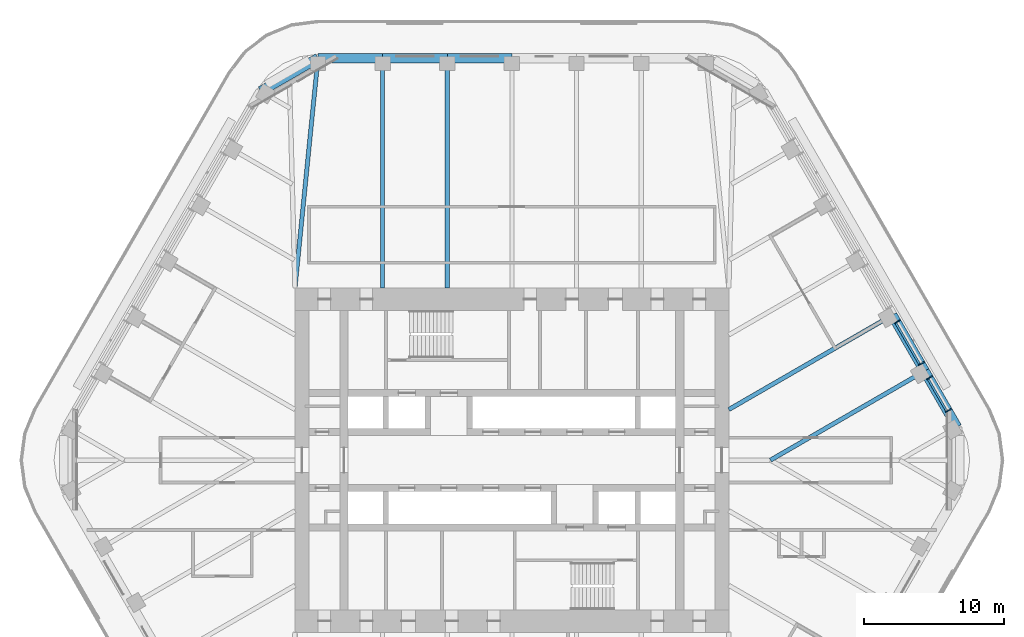
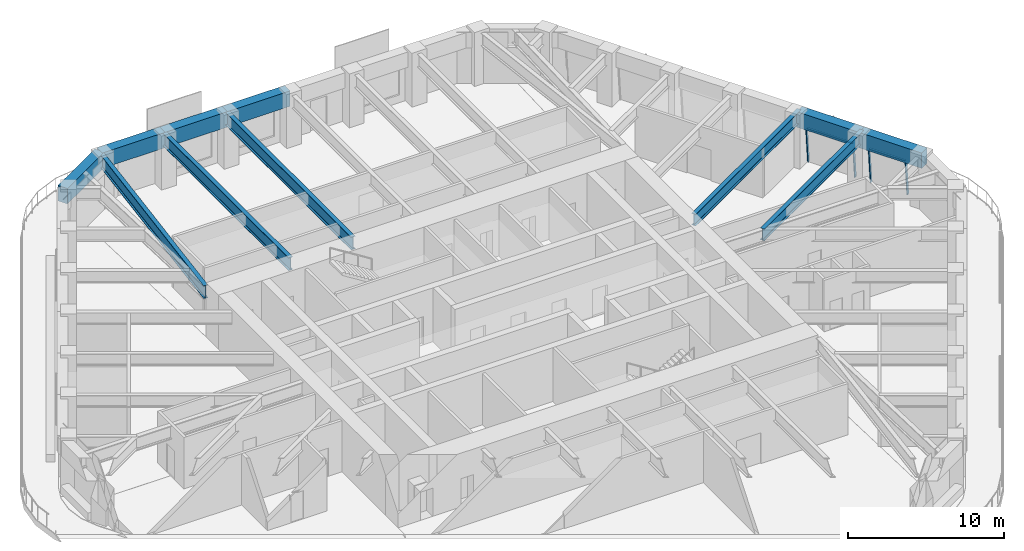
# One storey, part 9 of 20: 11 beams, 6 members, 2 elements without a shape of their own.
"""IFC4 building model written with IfcOpenShell, lengths in metres."""

from ifc_helpers import new_model, si_unit, direction, frame, origin, origin_2d, place, context, subcontext, project, spatial, rectangle, i_section, extrude, material, material_profile, profile_set, type_object, element, aggregate, save


model = new_model("IFC4")

# Units and contexts
model_context = context("Model", 3, precision=1e-05, world=origin(), true_north=direction((0.0, 1.0)))
body_context = subcontext(model_context, "Body", "Model", "MODEL_VIEW")
ifc_project = project(units=[si_unit("LENGTHUNIT", "METRE"), si_unit("AREAUNIT", "SQUARE_METRE"), si_unit("VOLUMEUNIT", "CUBIC_METRE"), si_unit("PLANEANGLEUNIT", "RADIAN"), si_unit("MASSUNIT", "GRAM", prefix="KILO")], contexts=[model_context])

# Site, building, storey
site_placement = place(None, origin())
site = spatial("IfcSite", under=ifc_project, at=site_placement, CompositionType="ELEMENT")
building_placement = place(site_placement, origin())
building = spatial("IfcBuilding", under=site, at=building_placement, Name="Tarfa Lantern Tower", CompositionType="ELEMENT")
storey_placement = place(building_placement, frame((0.0, 0.0, 286.89990234375)))
storey = spatial("IfcBuildingStorey", under=building, at=storey_placement, Name="L65", CompositionType="ELEMENT", Elevation=286.89990234375)

# Curtain wall, members
ifc_material_1 = material(Name="Aluminium framed curtain wall", Category="aluminium")
curtain_wall_type = type_object("IfcCurtainWallType", Name="CW3 CANTED GLAZING HIGH ZONE 2800", PredefinedType="USERDEFINED", material=ifc_material_1)
curtain_wall_1_placement = place(storey_placement, origin())
curtain_wall_1 = element("IfcCurtainWall", 1, at=curtain_wall_1_placement, inside=storey, type_object=curtain_wall_type, Name="CW3 NE L65", ObjectType="CURTAIN WALL", PredefinedType="USERDEFINED")
ifc_material_2 = material(Name="Aluminium mullion", Category="aluminium")
ifc_material_profile_1 = material_profile(ifc_material_2, rectangle(XDim=0.06494140625, YDim=0.199951171875, at=origin_2d()), Name="AL MULLION 65x200")
ifc_profile_set_1 = profile_set([ifc_material_profile_1], Name="Aluminium mullion")
member_type_1 = type_object("IfcMemberType", Name="CWM1 MULLION 65x200", PredefinedType="MULLION", material=ifc_profile_set_1)
member_1_placement = place(storey_placement, frame((31.2900390625, 3.60400390625, 0.0), z_axis=(-0.077032386753, -0.044465143199, 0.996036576854), x_axis=(0.499919672301, -0.866071776036, 0.0)))
member_1 = element("IfcMember", 2, at=member_1_placement, type_object=member_type_1, Name="CW3 mullion 1", PredefinedType="MULLION", context=body_context, shape_type="SweptSolid", body=[
    extrude(rectangle(XDim=0.06494140625, YDim=0.199951171875, at=origin_2d()), origin(), (0.0, 0.0, 1.0), 2.811279296875),
])
member_2_placement = place(storey_placement, frame((29.938232421875, 5.945556640625, 0.0), z_axis=(-0.077032386753, -0.044465143199, 0.996036576854), x_axis=(0.499919672301, -0.866071776036, 0.0)))
member_2 = element("IfcMember", 3, at=member_2_placement, type_object=member_type_1, Name="CW3 mullion 2", PredefinedType="MULLION", context=body_context, shape_type="SweptSolid", body=[
    extrude(rectangle(XDim=0.06494140625, YDim=0.199951171875, at=origin_2d()), origin(), (0.0, 0.0, 1.0), 2.811279296875),
])

curtain_wall_2_placement = place(storey_placement, origin())
curtain_wall_2 = element("IfcCurtainWall", 4, at=curtain_wall_2_placement, inside=storey, type_object=curtain_wall_type, Name="CW3 NE L65", ObjectType="CURTAIN WALL", PredefinedType="USERDEFINED")
member_3_placement = place(storey_placement, frame((29.355712890625, 6.954345703125, 0.0), z_axis=(-0.077032386753, -0.044465143199, 0.996036576854), x_axis=(0.499919672301, -0.866071776036, 0.0)))
member_3 = element("IfcMember", 5, at=member_3_placement, type_object=member_type_1, Name="CW3 mullion 1", PredefinedType="MULLION", context=body_context, shape_type="SweptSolid", body=[
    extrude(rectangle(XDim=0.06494140625, YDim=0.199951171875, at=origin_2d()), origin(), (0.0, 0.0, 1.0), 2.811279296875),
])
member_4_placement = place(storey_placement, frame((27.62890625, 9.945556640625, 0.0), z_axis=(-0.077032386753, -0.044465143199, 0.996036576854), x_axis=(0.499919672301, -0.866071776036, 0.0)))
member_4 = element("IfcMember", 6, at=member_4_placement, type_object=member_type_1, Name="CW3 mullion 2", PredefinedType="MULLION", context=body_context, shape_type="SweptSolid", body=[
    extrude(rectangle(XDim=0.06494140625, YDim=0.199951171875, at=origin_2d()), origin(), (0.0, 0.0, 1.0), 2.811279296875),
])

# Member
ifc_material_3 = material(Name="Aluminium transom", Category="aluminium")
ifc_material_profile_2 = material_profile(ifc_material_3, rectangle(XDim=0.14990234375, YDim=0.06494140625, at=origin_2d()), Name="AL TRANSOM 150x65")
ifc_profile_set_2 = profile_set([ifc_material_profile_2], Name="Aluminium transom")
member_type_2 = type_object("IfcMemberType", Name="CWT1 TRANSOM 150x65", PredefinedType="USERDEFINED", material=ifc_profile_set_2)
member_5_placement = place(storey_placement, frame((31.059814453125, 3.508544921875, 2.767578125), z_axis=(-0.499960041298, 0.866048472723, 0.0), x_axis=(-0.866048472723, -0.499960041298, 0.0)))
member_5 = element("IfcMember", 7, at=member_5_placement, type_object=member_type_2, Name="CW3 transom 1.2", ObjectType="TRANSOM", PredefinedType="USERDEFINED", context=body_context, shape_type="SweptSolid", body=[
    extrude(rectangle(XDim=0.14990234375, YDim=0.06494140625, at=origin_2d()), origin(), (0.0, 0.0, 1.0), 2.638916015625),
])

aggregate(curtain_wall_1, [member_1, member_2, member_5])

member_6_placement = place(storey_placement, frame((29.12548828125, 6.859130859375, 2.767578125), z_axis=(-0.499982299553, 0.866035622901, 0.0), x_axis=(-0.866035622901, -0.499982299553, 0.0)))
member_6 = element("IfcMember", 8, at=member_6_placement, type_object=member_type_2, Name="CW3 transom 1.2", ObjectType="TRANSOM", PredefinedType="USERDEFINED", context=body_context, shape_type="SweptSolid", body=[
    extrude(rectangle(XDim=0.14990234375, YDim=0.06494140625, at=origin_2d()), origin(), (0.0, 0.0, 1.0), 3.388671875),
])

aggregate(curtain_wall_2, [member_3, member_4, member_6])

# Beams
ifc_material_4 = material(Name="Concrete C80/95", Category="concrete")
ifc_material_profile_3 = material_profile(ifc_material_4, rectangle(XDim=0.699951171875, YDim=1.199951171875, at=origin_2d()), Name="RC 700x1200")
ifc_profile_set_3 = profile_set([ifc_material_profile_3], Name="Concrete C80/95")
beam_type_1 = type_object("IfcBeamType", Name="EB3 RC 700x1200", PredefinedType="SPANDREL", material=ifc_profile_set_3)
beam_1_placement = place(storey_placement, frame((31.800537109375, 2.360107421875, 3.400146484375), z_axis=(-0.500027479704, 0.866009537788, 0.0), x_axis=(-0.866009537788, -0.500027479704, 0.0)))
element("IfcBeam", 9, at=beam_1_placement, inside=storey, type_object=beam_type_1, Name="Edge beam NE0", PredefinedType="SPANDREL", context=body_context, shape_type="SweptSolid", body=[
    extrude(rectangle(XDim=0.699951171875, YDim=1.199951171875, at=origin_2d()), origin(), (0.0, 0.0, 1.0), 4.618896484375),
])
beam_2_placement = place(storey_placement, frame((29.490966796875, 6.360107421875, 3.400146484375), z_axis=(-0.499987836815, 0.866032426089, 0.0), x_axis=(-0.866032426089, -0.499987836815, 0.0)))
element("IfcBeam", 10, at=beam_2_placement, inside=storey, type_object=beam_type_1, Name="Edge beam NE1", PredefinedType="SPANDREL", context=body_context, shape_type="SweptSolid", body=[
    extrude(rectangle(XDim=0.699951171875, YDim=1.199951171875, at=origin_2d()), origin(), (0.0, 0.0, 1.0), 4.61865234375),
])
beam_3_placement = place(storey_placement, frame((0.0, 28.719970703125, 3.400146484375), z_axis=(-1.0, 0.0, 0.0), x_axis=(0.0, -1.0, 0.0)))
element("IfcBeam", 11, at=beam_3_placement, inside=storey, type_object=beam_type_1, Name="Edge beam N3", PredefinedType="SPANDREL", context=body_context, shape_type="SweptSolid", body=[
    extrude(rectangle(XDim=0.699951171875, YDim=1.199951171875, at=origin_2d()), origin(), (0.0, 0.0, 1.0), 4.618896484375),
])
beam_4_placement = place(storey_placement, frame((-4.618896484375, 28.719970703125, 3.400146484375), z_axis=(-1.0, 0.0, 0.0), x_axis=(0.0, -1.0, 0.0)))
element("IfcBeam", 12, at=beam_4_placement, inside=storey, type_object=beam_type_1, Name="Edge beam N4", PredefinedType="SPANDREL", context=body_context, shape_type="SweptSolid", body=[
    extrude(rectangle(XDim=0.699951171875, YDim=1.199951171875, at=origin_2d()), origin(), (0.0, 0.0, 1.0), 4.61865234375),
])
beam_5_placement = place(storey_placement, frame((-9.237548828125, 28.719970703125, 3.400146484375), z_axis=(-1.0, 0.0, 0.0), x_axis=(0.0, -1.0, 0.0)))
element("IfcBeam", 13, at=beam_5_placement, inside=storey, type_object=beam_type_1, Name="Edge beam N5", PredefinedType="SPANDREL", context=body_context, shape_type="SweptSolid", body=[
    extrude(rectangle(XDim=0.699951171875, YDim=1.199951171875, at=origin_2d()), origin(), (0.0, 0.0, 1.0), 4.618896484375),
])
beam_6_placement = place(storey_placement, frame((-13.8564453125, 28.719970703125, 3.400146484375), z_axis=(-0.866038294681, -0.499977671647, 0.0), x_axis=(0.499977671647, -0.866038294681, 0.0)))
element("IfcBeam", 14, at=beam_6_placement, inside=storey, type_object=beam_type_1, Name="Edge beam N6", PredefinedType="SPANDREL", context=body_context, shape_type="SweptSolid", body=[
    extrude(rectangle(XDim=0.699951171875, YDim=1.199951171875, at=origin_2d()), origin(), (0.0, 0.0, 1.0), 4.719970703125),
])
ifc_material_5 = material(Name="Steel S460M", Category="steel")
ifc_material_profile_4 = material_profile(ifc_material_5, i_section(OverallWidth=0.302001953125, OverallDepth=1.008056640625, WebThickness=0.02099609375, FlangeThickness=0.0400390625, FilletRadius=0.030029296875, at=origin_2d()), Name="UB1016x305x349")
ifc_profile_set_4 = profile_set([ifc_material_profile_4], Name="Steel S460M")
beam_type_2 = type_object("IfcBeamType", Name="UB1016x305x349", PredefinedType="BEAM", material=ifc_profile_set_4)
for number, where, z_axis, x_axis, name in (
    (15, (-4.618896484375, 28.719970703125, 3.49609375), (0.0, -1.0, 0.0), (1.0, 0.0, 0.0), "Floor beam N4"),
    (16, (-9.237548828125, 28.719970703125, 3.49609375), (0.0, -1.0, 0.0), (1.0, 0.0, 0.0), "Floor beam N5"),
):
    element("IfcBeam", number, at=place(storey_placement, frame(where, z_axis=z_axis, x_axis=x_axis)), inside=storey, type_object=beam_type_2, Name=name, PredefinedType="BEAM", context=body_context, shape_type="SweptSolid", body=[
        extrude(i_section(OverallWidth=0.302001953125, OverallDepth=1.008056640625, WebThickness=0.02099609375, FlangeThickness=0.0400390625, FilletRadius=0.030029296875, at=origin_2d()), origin(), (0.0, 0.0, 1.0), 16.419921875),
    ])
beam_7_placement = place(storey_placement, frame((-13.8564453125, 28.719970703125, 3.49609375), z_axis=(-0.099597466746, -0.995027810977, 0.0), x_axis=(0.995027810977, -0.099597466746, 0.0)))
element("IfcBeam", 17, at=beam_7_placement, inside=storey, type_object=beam_type_2, Name="Floor beam N6", PredefinedType="BEAM", context=body_context, shape_type="SweptSolid", body=[
    extrude(i_section(OverallWidth=0.302001953125, OverallDepth=1.008056640625, WebThickness=0.02099609375, FlangeThickness=0.0400390625, FilletRadius=0.030029296875, at=origin_2d()), origin(), (0.0, 0.0, 1.0), 16.501953125),
])
ifc_material_profile_5 = material_profile(ifc_material_5, i_section(OverallWidth=0.305419921875, OverallDepth=0.91845703125, WebThickness=0.017333984375, FlangeThickness=0.02783203125, FilletRadius=0.01904296875, at=origin_2d()), Name="UB914x305x253")
ifc_profile_set_5 = profile_set([ifc_material_profile_5], Name="Steel S460M")
beam_type_3 = type_object("IfcBeamType", Name="UB914x305x253", PredefinedType="BEAM", material=ifc_profile_set_5)
beam_8_placement = place(storey_placement, frame((29.490966796875, 6.360107421875, 3.541015625), z_axis=(-0.866022258038, -0.500005448553, 0.0), x_axis=(0.500005448553, -0.866022258038, 0.0)))
element("IfcBeam", 18, at=beam_8_placement, inside=storey, type_object=beam_type_3, Name="Floor beam NE1", PredefinedType="BEAM", context=body_context, shape_type="SweptSolid", body=[
    extrude(i_section(OverallWidth=0.305419921875, OverallDepth=0.91845703125, WebThickness=0.017333984375, FlangeThickness=0.02783203125, FilletRadius=0.01904296875, at=origin_2d()), origin(), (0.0, 0.0, 1.0), 12.719970703125),
])
beam_9_placement = place(storey_placement, frame((27.181640625, 10.360107421875, 3.541015625), z_axis=(-0.866018002818, -0.500012818631, 0.0), x_axis=(0.500012818631, -0.866018002818, 0.0)))
element("IfcBeam", 19, at=beam_9_placement, inside=storey, type_object=beam_type_3, Name="Floor beam NE2", PredefinedType="BEAM", context=body_context, shape_type="SweptSolid", body=[
    extrude(i_section(OverallWidth=0.305419921875, OverallDepth=0.91845703125, WebThickness=0.017333984375, FlangeThickness=0.02783203125, FilletRadius=0.01904296875, at=origin_2d()), origin(), (0.0, 0.0, 1.0), 13.489013671875),
])

save(model, "model.ifc")
